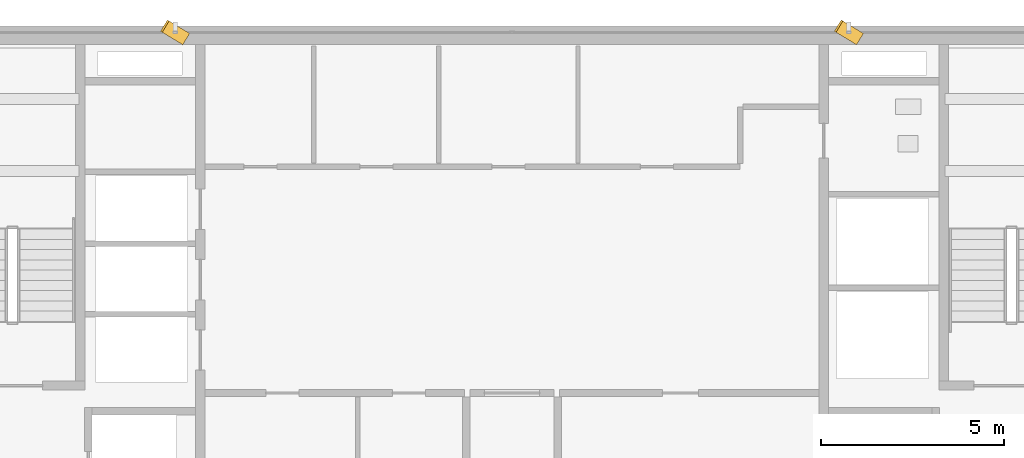
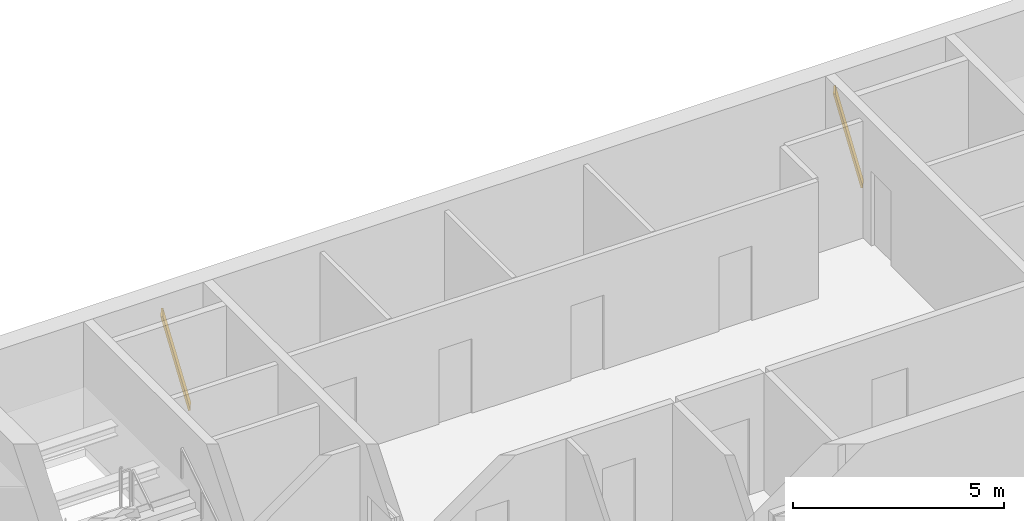
# One storey, part 28 of 29: 2 shading devices.
"""IFC4 building model written with IfcOpenShell, lengths in metres."""

from ifc_helpers import new_model, si_unit, direction, frame, origin, origin_2d, place, context, subcontext, project, spatial, rectangle, extrude, source, transform, mapped, material, material_profile, profile_set, type_object, element, save


model = new_model("IFC4")

# Units and contexts
model_context = context("Model", 3, precision=1e-05, world=origin(), true_north=direction((0.0, 1.0)))
body_context = subcontext(model_context, "Body", "Model", "MODEL_VIEW")
ifc_project = project(units=[si_unit("LENGTHUNIT", "METRE"), si_unit("AREAUNIT", "SQUARE_METRE"), si_unit("VOLUMEUNIT", "CUBIC_METRE"), si_unit("PLANEANGLEUNIT", "RADIAN"), si_unit("MASSUNIT", "GRAM", prefix="KILO")], contexts=[model_context])

# Site, building, storey
site_placement = place(None, origin())
site = spatial("IfcSite", under=ifc_project, at=site_placement, CompositionType="ELEMENT")
building_placement = place(site_placement, origin())
building = spatial("IfcBuilding", under=site, at=building_placement, Name="Sumidabori Civic Tower", CompositionType="ELEMENT")
storey_placement = place(building_placement, frame((0.0, 0.0, 214.39990234375)))
storey = spatial("IfcBuildingStorey", under=building, at=storey_placement, Name="L55", CompositionType="ELEMENT", Elevation=214.39990234375)

# Shading devices
ifc_material = material(Name="Anodised Bronze Aluminium AW-6063-T6", Category="aluminium")
ifc_material_profile = material_profile(ifc_material, rectangle(XDim=0.054931640625, YDim=0.360107421875, at=origin_2d()), Name="BRONZE FIN 360x55")
ifc_profile_set = profile_set([ifc_material_profile], Name="Anodised Bronze Aluminium AW-6063-T6")
shading_device_type = type_object("IfcShadingDeviceType", Name="SH-FIN-360", PredefinedType="USERDEFINED", material=ifc_profile_set)
shared_shape = source(origin(), body_context, "Body", "SweptSolid", [
    extrude(rectangle(XDim=0.054931640625, YDim=0.360107421875, at=origin_2d()), origin(), (0.0, 0.0, 1.0), 2.778564453125),
])
for number, where, z_axis, x_axis, name in (
    (1, (9.465087890625, 23.7099609375, 0.02001953125), (-0.201564536174, 0.122397296814, 0.971797632992), (0.830646061104, -0.504398414611, 0.235816370319), "Bronze Anodised Diagonal Fin L55-01"),
    (2, (-8.905029296875, 23.7099609375, 0.02001953125), (-0.201564536174, 0.122397296814, 0.971797632992), (0.830646061104, -0.504398414611, 0.235816370319), "Bronze Anodised Diagonal Fin L55-03"),
):
    element("IfcShadingDevice", number, at=place(storey_placement, frame(where, z_axis=z_axis, x_axis=x_axis)), inside=storey, type_object=shading_device_type, Name=name, ObjectType="FIN", PredefinedType="USERDEFINED", context=body_context, shape_type="MappedRepresentation", body=[
        mapped(shared_shape, transform((0.0, 0.0, 0.0), x_axis=(1.0, 0.0, 0.0), y_axis=(0.0, 1.0, 0.0), z_axis=(0.0, 0.0, 1.0), scale=1.0)),
    ])

save(model, "model.ifc")
